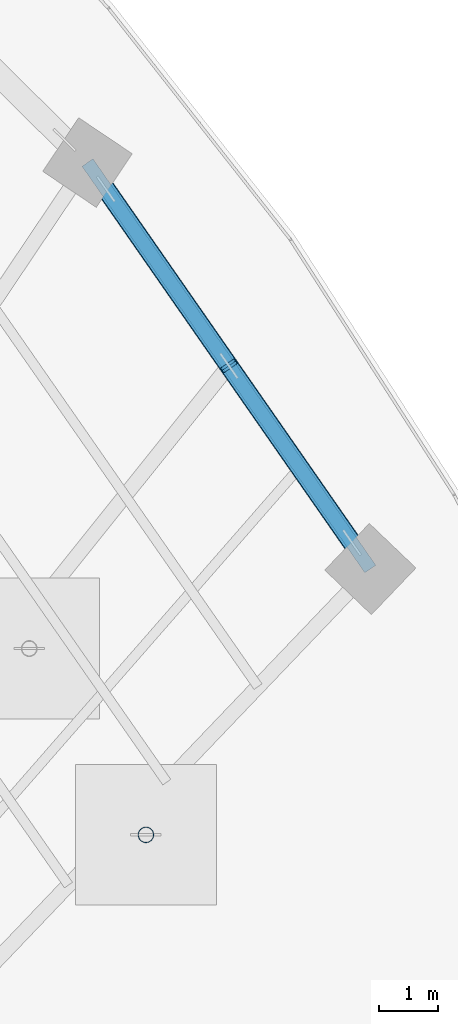
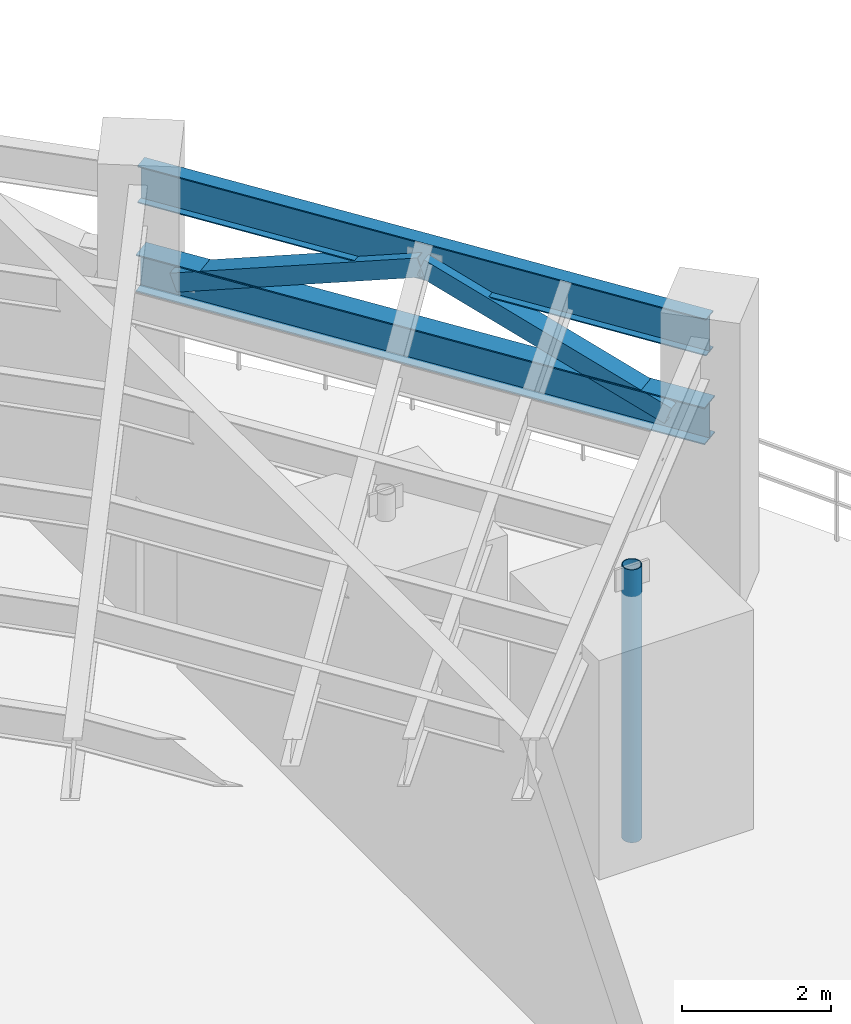
# One storey, part 6 of 24: 3 members, 2 beams.
"""IFC4 building model written with IfcOpenShell, lengths in metres."""

from ifc_helpers import new_model, si_unit, direction, frame, origin, origin_2d, place, context, subcontext, project, spatial, hollow_rectangle, hollow_circle, i_section, extrude, source, transform, mapped, material, material_profile, profile_set, type_object, type_shapes, element, save


model = new_model("IFC4")

# Units and contexts
model_context = context("Model", 3, precision=1e-05, world=origin(), true_north=direction((0.0, 1.0)))
body_context = subcontext(model_context, "Body", "Model", "MODEL_VIEW")
ifc_project = project(units=[si_unit("LENGTHUNIT", "METRE"), si_unit("AREAUNIT", "SQUARE_METRE"), si_unit("VOLUMEUNIT", "CUBIC_METRE"), si_unit("PLANEANGLEUNIT", "RADIAN"), si_unit("MASSUNIT", "GRAM", prefix="KILO")], contexts=[model_context])

# Site, building, storey
site_placement = place(None, origin())
site = spatial("IfcSite", under=ifc_project, at=site_placement, CompositionType="ELEMENT")
building_placement = place(site_placement, origin())
building = spatial("IfcBuilding", under=site, at=building_placement, Name="Breltana Convention Tower", CompositionType="ELEMENT")
storey_placement = place(building_placement, frame((0.0, 0.0, 189.60009765625)))
storey = spatial("IfcBuildingStorey", under=building, at=storey_placement, Name="L46", CompositionType="ELEMENT", Elevation=189.60009765625)

# Beam
ifc_material_1 = material(Name="Steel ASTM A992 Grade 50", Category="steel")
ifc_material_profile_1 = material_profile(ifc_material_1, i_section(OverallWidth=0.323974609375, OverallDepth=0.611083984375, WebThickness=0.0126953125, FlangeThickness=0.01904296875, at=origin_2d()), Name="W24X104")
ifc_profile_set_1 = profile_set([ifc_material_profile_1], Name="Steel ASTM A992 Grade 50")
beam_type_1 = type_object("IfcBeamType", Name="BM-SP-W24X104", PredefinedType="SPANDREL", material=ifc_profile_set_1)
shared_shape_1 = source(origin(), body_context, "Body", "SweptSolid", [
    extrude(i_section(OverallWidth=0.323974609375, OverallDepth=0.611083984375, WebThickness=0.0126953125, FlangeThickness=0.01904296875, at=origin_2d()), origin(), (0.0, 0.0, 1.0), 8.44970703125),
])
beam_1_placement = place(storey_placement, frame((75.166748046875, 62.43017578125, 2.75), z_axis=(0.5711855381, -0.820820979913, 0.0), x_axis=(0.820820979913, 0.5711855381, 0.0)))
element("IfcBeam", 1, at=beam_1_placement, inside=storey, type_object=beam_type_1, Name="L46 Perimeter Belt Truss Sill Chord 10", PredefinedType="SPANDREL", context=body_context, shape_type="MappedRepresentation", body=[
    mapped(shared_shape_1, transform((0.0, 0.0, 0.0), scale=1.0)),
])

# Members
ifc_material_2 = material(Name="Steel EN 10210 S355J2H", Category="steel")
ifc_material_profile_2 = material_profile(ifc_material_2, hollow_rectangle(XDim=0.300048828125, YDim=0.300048828125, WallThickness=0.011962890625, at=origin_2d()), Name="RHS300X300X12")
ifc_profile_set_2 = profile_set([ifc_material_profile_2], Name="Steel EN 10210 S355J2H")
member_type_1 = type_object("IfcMemberType", Name="MB-BR-RHS300X300X12", PredefinedType="BRACE", material=ifc_profile_set_2)
shared_shape_2 = source(origin(), body_context, "Body", "SweptSolid", [
    extrude(hollow_rectangle(XDim=0.300048828125, YDim=0.300048828125, WallThickness=0.011962890625, at=origin_2d()), origin(), (0.0, 0.0, 1.0), 3.912841796875),
])
for number, where, z_axis, x_axis, name in (
    (2, (75.48095703125, 61.978759765625, 2.75), (0.53641000135, -0.77095288783, 0.343359804284), (0.820857806591, 0.57113261276, 0.0), "L46 Perimeter Belt Truss Brace 10A"),
    (3, (77.579833984375, 58.962158203125, 4.093505859375), (0.536480245358, -0.770901771504, -0.343364827891), (0.820804986481, 0.571208520742, 0.0), "L46 Perimeter Belt Truss Brace 10B"),
):
    element("IfcMember", number, at=place(storey_placement, frame(where, z_axis=z_axis, x_axis=x_axis)), inside=storey, type_object=member_type_1, Name=name, PredefinedType="BRACE", context=body_context, shape_type="MappedRepresentation", body=[
        mapped(shared_shape_2, transform((0.0, 0.0, 0.0), scale=1.0)),
    ])
ifc_material_profile_3 = material_profile(ifc_material_2, hollow_circle(Radius=0.136474609375, WallThickness=0.011962890625, at=origin_2d()), Name="CHS273X12")
ifc_profile_set_3 = profile_set([ifc_material_profile_3], Name="Steel EN 10210 S355J2H")
member_type_2 = type_object("IfcMemberType", Name="MB-ST-CHS273X12", PredefinedType="STRUT", material=ifc_profile_set_3)
shared_shape_3 = source(origin(), body_context, "Body", "SweptSolid", [
    extrude(hollow_circle(Radius=0.136474609375, WallThickness=0.011962890625, at=origin_2d()), origin(), (0.0, 0.0, 1.0), 4.47998046875),
])
type_shapes(member_type_2, [shared_shape_3])
member_placement = place(storey_placement, frame((76.1640625, 50.958740234375, 0.0), z_axis=(0.0, 0.0, 1.0), x_axis=(1.0, 0.0, 0.0)))
element("IfcMember", 4, at=member_placement, inside=storey, type_object=member_type_2, Name="Venturi Wind Turbine Support Spindle 4", PredefinedType="STRUT", context=body_context, shape_type="MappedRepresentation", body=[
    mapped(shared_shape_3, transform((0.0, 0.0, 0.0), scale=1.0)),
])

# Beam
ifc_material_profile_4 = material_profile(ifc_material_1, i_section(OverallWidth=0.22802734375, OverallDepth=0.60791015625, WebThickness=0.01123046875, FlangeThickness=0.017333984375, at=origin_2d()), Name="W24X76")
ifc_profile_set_4 = profile_set([ifc_material_profile_4], Name="Steel ASTM A992 Grade 50")
beam_type_2 = type_object("IfcBeamType", Name="BM-SP-W24X76", PredefinedType="SPANDREL", material=ifc_profile_set_4)
shared_shape_4 = source(origin(), body_context, "Body", "SweptSolid", [
    extrude(i_section(OverallWidth=0.22802734375, OverallDepth=0.60791015625, WebThickness=0.01123046875, FlangeThickness=0.017333984375, at=origin_2d()), origin(), (0.0, 0.0, 1.0), 8.44970703125),
])
beam_2_placement = place(storey_placement, frame((75.166748046875, 62.43017578125, 4.17578125), z_axis=(0.5711855381, -0.820820979913, 0.0), x_axis=(0.820820979913, 0.5711855381, 0.0)))
element("IfcBeam", 5, at=beam_2_placement, inside=storey, type_object=beam_type_2, Name="L46 Outer Spandrel Beam 10", PredefinedType="SPANDREL", context=body_context, shape_type="MappedRepresentation", body=[
    mapped(shared_shape_4, transform((0.0, 0.0, 0.0), scale=1.0)),
])

save(model, "model.ifc")
